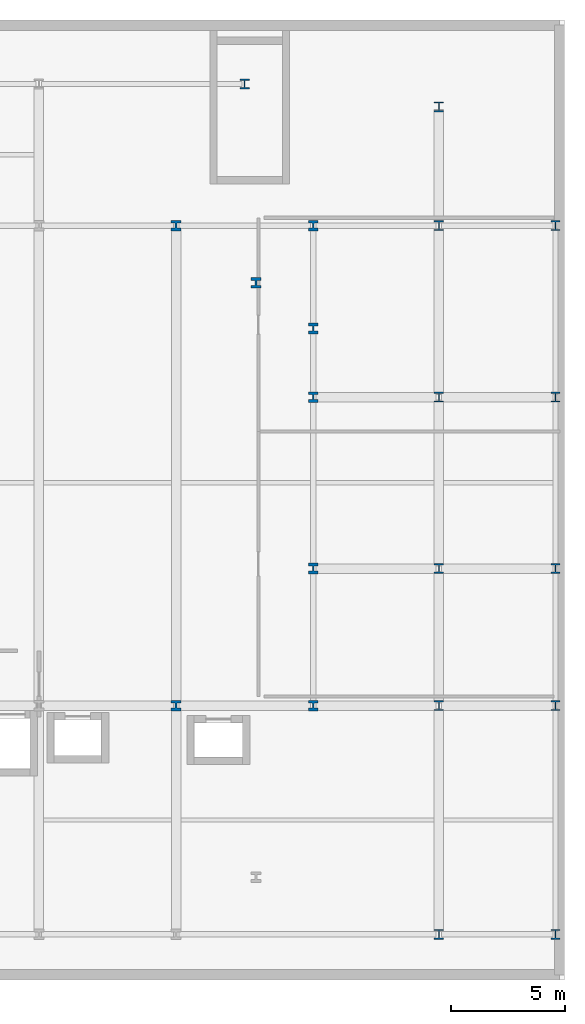
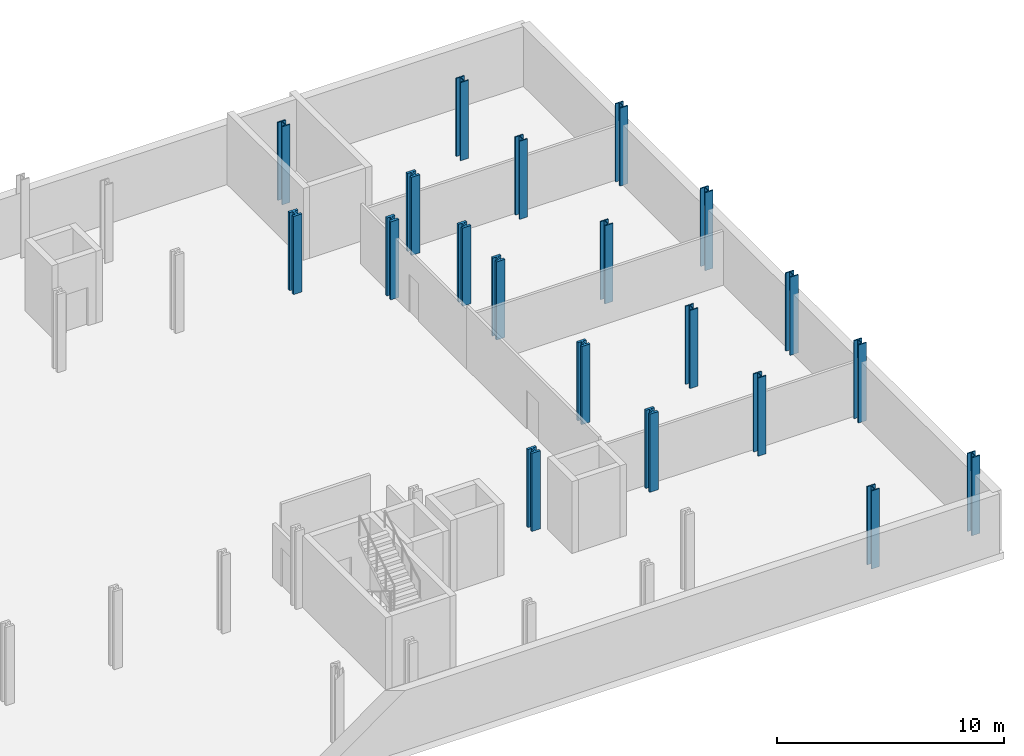
# One storey, part 2 of 12: 20 columns.
"""IFC4 building model written with IfcOpenShell, lengths in metres."""

from ifc_helpers import new_model, si_unit, direction, frame, origin, origin_2d, place, context, subcontext, project, spatial, i_section, extrude, material, material_profile, profile_set, type_object, element, save


model = new_model("IFC4")

# Units and contexts
model_context = context("Model", 3, precision=1e-05, world=origin(), true_north=direction((0.0, 1.0)))
body_context = subcontext(model_context, "Body", "Model", "MODEL_VIEW")
ifc_project = project(units=[si_unit("LENGTHUNIT", "METRE"), si_unit("AREAUNIT", "SQUARE_METRE"), si_unit("VOLUMEUNIT", "CUBIC_METRE"), si_unit("PLANEANGLEUNIT", "RADIAN"), si_unit("MASSUNIT", "GRAM", prefix="KILO")], contexts=[model_context])

# Site, building, storey
site_placement = place(None, origin())
site = spatial("IfcSite", under=ifc_project, at=site_placement, CompositionType="ELEMENT")
building_placement = place(site_placement, origin())
building = spatial("IfcBuilding", under=site, at=building_placement, Name="Brevholm Reach", CompositionType="ELEMENT")
storey_placement = place(building_placement, frame((0.0, 0.0, -4.199951171875)))
storey = spatial("IfcBuildingStorey", under=building, at=storey_placement, Name="B01", CompositionType="ELEMENT", Elevation=-4.199951171875)

# Columns
ifc_material_1 = material(Name="Structural Steel S460ML", Category="steel")
ifc_material_profile_1 = material_profile(ifc_material_1, i_section(OverallWidth=0.427978515625, OverallDepth=0.468994140625, WebThickness=0.077880859375, FlangeThickness=0.125, FilletRadius=0.014892578125, at=origin_2d()), Name="HD 400x1086")
ifc_profile_set_1 = profile_set([ifc_material_profile_1], Name="Structural Steel S460ML")
column_type_1 = type_object("IfcColumnType", Name="COL-HD1", PredefinedType="COLUMN", material=ifc_profile_set_1)
for number, where, z_axis, x_axis, name in (
    (1, (54.0, 10.0, 0.0), (0.0, 0.0, 1.0), (1.0, 0.0, 0.0), "B01 Column 51"),
    (2, (54.0, 31.0, 0.0), (0.0, 0.0, 1.0), (1.0, 0.0, 0.0), "B01 Column 52"),
    (3, (57.5, 28.5, 0.0), (0.0, 0.0, 1.0), (1.0, 0.0, 0.0), "B01 Column 55"),
    (4, (60.0, 10.0, 0.0), (0.0, 0.0, 1.0), (1.0, 0.0, 0.0), "B01 Column 56"),
    (5, (60.0, 16.0, 0.0), (0.0, 0.0, 1.0), (1.0, 0.0, 0.0), "B01 Column 57"),
    (6, (60.0, 23.5, 0.0), (0.0, 0.0, 1.0), (1.0, 0.0, 0.0), "B01 Column 58"),
    (7, (60.0, 26.5, 0.0), (0.0, 0.0, 1.0), (1.0, 0.0, 0.0), "B01 Column 59"),
    (8, (60.0, 31.0, 0.0), (0.0, 0.0, 1.0), (1.0, 0.0, 0.0), "B01 Column 60"),
):
    element("IfcColumn", number, at=place(storey_placement, frame(where, z_axis=z_axis, x_axis=x_axis)), inside=storey, type_object=column_type_1, Name=name, PredefinedType="COLUMN", context=body_context, shape_type="SweptSolid", body=[
        extrude(i_section(OverallWidth=0.427978515625, OverallDepth=0.468994140625, WebThickness=0.077880859375, FlangeThickness=0.125, FilletRadius=0.014892578125, at=origin_2d()), origin(), (0.0, 0.0, 1.0), 4.199951171875),
    ])
ifc_material_2 = material(Name="Structural Steel S460ML", Category="steel")
ifc_material_profile_2 = material_profile(ifc_material_2, i_section(OverallWidth=0.412109375, OverallDepth=0.4365234375, WebThickness=0.035888671875, FlangeThickness=0.05810546875, FilletRadius=0.01513671875, at=origin_2d()), Name="UKC 356x406x467")
ifc_profile_set_2 = profile_set([ifc_material_profile_2], Name="Structural Steel S460ML")
column_type_2 = type_object("IfcColumnType", Name="COL-UC3", PredefinedType="COLUMN", material=ifc_profile_set_2)
for number, where, z_axis, x_axis, name in (
    (9, (57.0, 37.199951171875, 0.0), (0.0, 0.0, 1.0), (1.0, 0.0, 0.0), "B01 Column 53"),
    (10, (65.5, 0.0, 0.0), (0.0, 0.0, 1.0), (1.0, 0.0, 0.0), "B01 Column 61"),
    (11, (65.5, 10.0, 0.0), (0.0, 0.0, 1.0), (1.0, 0.0, 0.0), "B01 Column 62"),
    (12, (65.5, 16.0, 0.0), (0.0, 0.0, 1.0), (1.0, 0.0, 0.0), "B01 Column 63"),
    (13, (65.5, 23.5, 0.0), (0.0, 0.0, 1.0), (1.0, 0.0, 0.0), "B01 Column 64"),
    (14, (65.5, 31.0, 0.0), (0.0, 0.0, 1.0), (1.0, 0.0, 0.0), "B01 Column 65"),
    (15, (65.5, 36.199951171875, 0.0), (0.0, 0.0, 1.0), (1.0, 0.0, 0.0), "B01 Column 66"),
    (16, (70.60009765625, 0.0, 0.0), (0.0, 0.0, 1.0), (1.0, 0.0, 0.0), "B01 Column 67"),
    (17, (70.60009765625, 10.0, 0.0), (0.0, 0.0, 1.0), (1.0, 0.0, 0.0), "B01 Column 68"),
    (18, (70.60009765625, 16.0, 0.0), (0.0, 0.0, 1.0), (1.0, 0.0, 0.0), "B01 Column 69"),
    (19, (70.60009765625, 23.5, 0.0), (0.0, 0.0, 1.0), (1.0, 0.0, 0.0), "B01 Column 70"),
    (20, (70.60009765625, 31.0, 0.0), (0.0, 0.0, 1.0), (1.0, 0.0, 0.0), "B01 Column 71"),
):
    element("IfcColumn", number, at=place(storey_placement, frame(where, z_axis=z_axis, x_axis=x_axis)), inside=storey, type_object=column_type_2, Name=name, PredefinedType="COLUMN", context=body_context, shape_type="SweptSolid", body=[
        extrude(i_section(OverallWidth=0.412109375, OverallDepth=0.4365234375, WebThickness=0.035888671875, FlangeThickness=0.05810546875, FilletRadius=0.01513671875, at=origin_2d()), origin(), (0.0, 0.0, 1.0), 4.199951171875),
    ])

save(model, "model.ifc")
